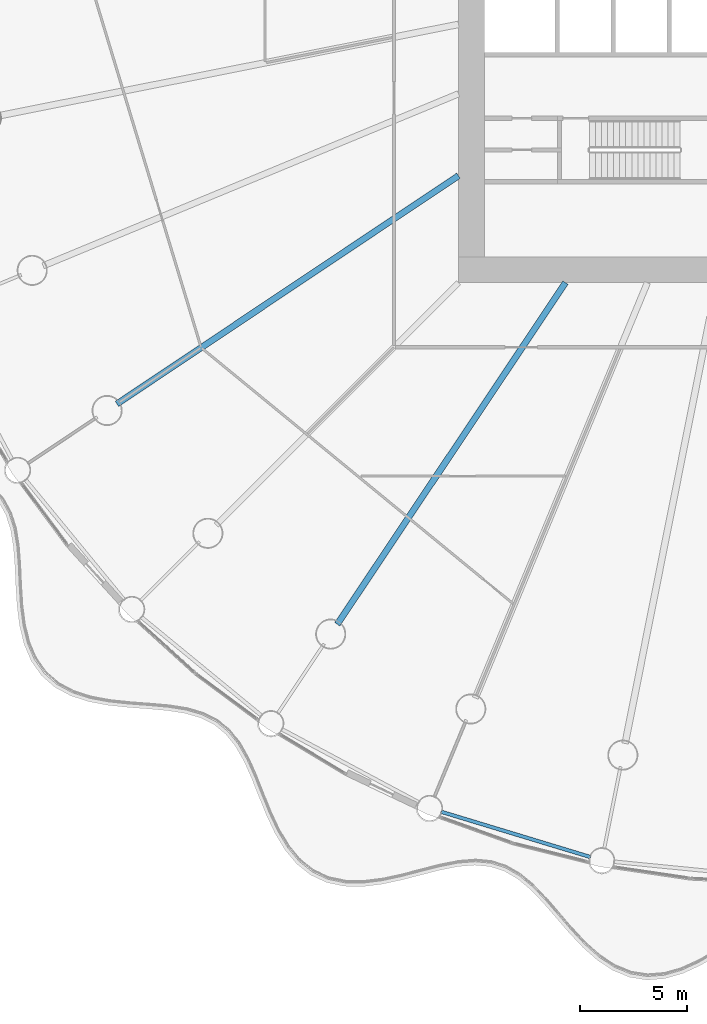
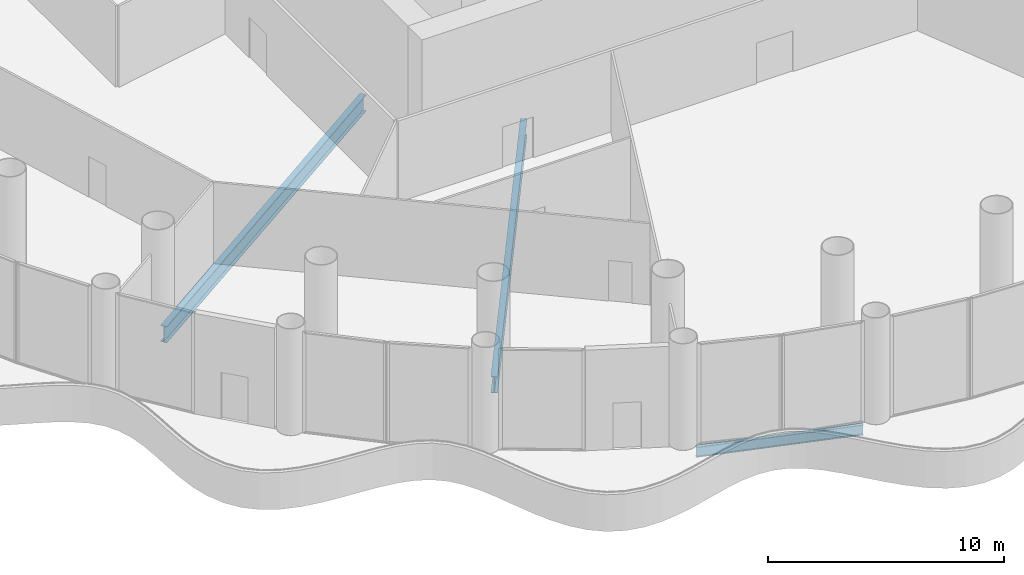
# One storey, part 4 of 37: 3 beams.
"""IFC4 building model written with IfcOpenShell, lengths in metres."""

from ifc_helpers import new_model, si_unit, direction, frame, origin, origin_2d, place, context, subcontext, project, spatial, i_section, extrude, material, material_profile, profile_set, type_object, element, save


model = new_model("IFC4")

# Units and contexts
model_context = context("Model", 3, precision=1e-05, world=origin(), true_north=direction((0.0, 1.0)))
body_context = subcontext(model_context, "Body", "Model", "MODEL_VIEW")
ifc_project = project(units=[si_unit("LENGTHUNIT", "METRE"), si_unit("AREAUNIT", "SQUARE_METRE"), si_unit("VOLUMEUNIT", "CUBIC_METRE"), si_unit("PLANEANGLEUNIT", "RADIAN"), si_unit("MASSUNIT", "GRAM", prefix="KILO")], contexts=[model_context])

# Site, building, storey
site_placement = place(None, origin())
site = spatial("IfcSite", under=ifc_project, at=site_placement, CompositionType="ELEMENT")
building_placement = place(site_placement, origin())
building = spatial("IfcBuilding", under=site, at=building_placement, Name="Corvane Civic Tower", CompositionType="ELEMENT")
storey_placement = place(building_placement, frame((0.0, 0.0, 11.5)))
storey = spatial("IfcBuildingStorey", under=building, at=storey_placement, Name="L02", CompositionType="ELEMENT", Elevation=11.5)

# Beams
ifc_material_1 = material(Name="Steel ASTM A992 Gr 50", Category="steel")
ifc_material_profile_1 = material_profile(ifc_material_1, i_section(OverallWidth=0.165771484375, OverallDepth=0.5283203125, WebThickness=0.009765625, FlangeThickness=0.013671875, at=origin_2d()), Name="W21X50")
ifc_profile_set_1 = profile_set([ifc_material_profile_1], Name="Steel ASTM A992 Gr 50")
beam_type_1 = type_object("IfcBeamType", Name="EDGE BEAM W21X50", PredefinedType="BEAM", material=ifc_profile_set_1)
beam_placement = place(storey_placement, frame((-8.856689453125, -41.719970703125, -0.564208984375), z_axis=(-0.956938225664, 0.290291633127, 0.0), x_axis=(-0.290291633127, -0.956938225664, 0.0)))
element("IfcBeam", 1, at=beam_placement, inside=storey, type_object=beam_type_1, Name="BM-L02-E18", PredefinedType="BEAM", context=body_context, shape_type="SweptSolid", body=[
    extrude(i_section(OverallWidth=0.165771484375, OverallDepth=0.5283203125, WebThickness=0.009765625, FlangeThickness=0.013671875, at=origin_2d()), origin(), (0.0, 0.0, 1.0), 7.2705078125),
])
ifc_material_2 = material(Name="Steel ASTM A992 Gr 50", Category="steel")
ifc_material_profile_2 = material_profile(ifc_material_2, i_section(OverallWidth=0.2919921875, OverallDepth=0.845703125, WebThickness=0.015380859375, FlangeThickness=0.0244140625, at=origin_2d()), Name="W33X141")
ifc_profile_set_2 = profile_set([ifc_material_profile_2], Name="Steel ASTM A992 Gr 50")
beam_type_2 = type_object("IfcBeamType", Name="FLOOR GIRDER W33X141", PredefinedType="BEAM", material=ifc_profile_set_2)
for number, where, z_axis, x_axis, name in (
    (2, (-10.022705078125, -15.0, -0.722900390625), (-0.555566681385, -0.831471985418, 0.0), (0.831471985418, -0.555566681385, 0.0), "BM-L02-G20"),
    (3, (-15.0, -10.022705078125, -0.722900390625), (-0.831471985418, -0.555566681385, 0.0), (0.555566681385, -0.831471985418, 0.0), "BM-L02-G22"),
):
    element("IfcBeam", number, at=place(storey_placement, frame(where, z_axis=z_axis, x_axis=x_axis)), inside=storey, type_object=beam_type_2, Name=name, PredefinedType="BEAM", context=body_context, shape_type="SweptSolid", body=[
        extrude(i_section(OverallWidth=0.2919921875, OverallDepth=0.845703125, WebThickness=0.015380859375, FlangeThickness=0.0244140625, at=origin_2d()), origin(), (0.0, 0.0, 1.0), 19.109619140625),
    ])

save(model, "model.ifc")
